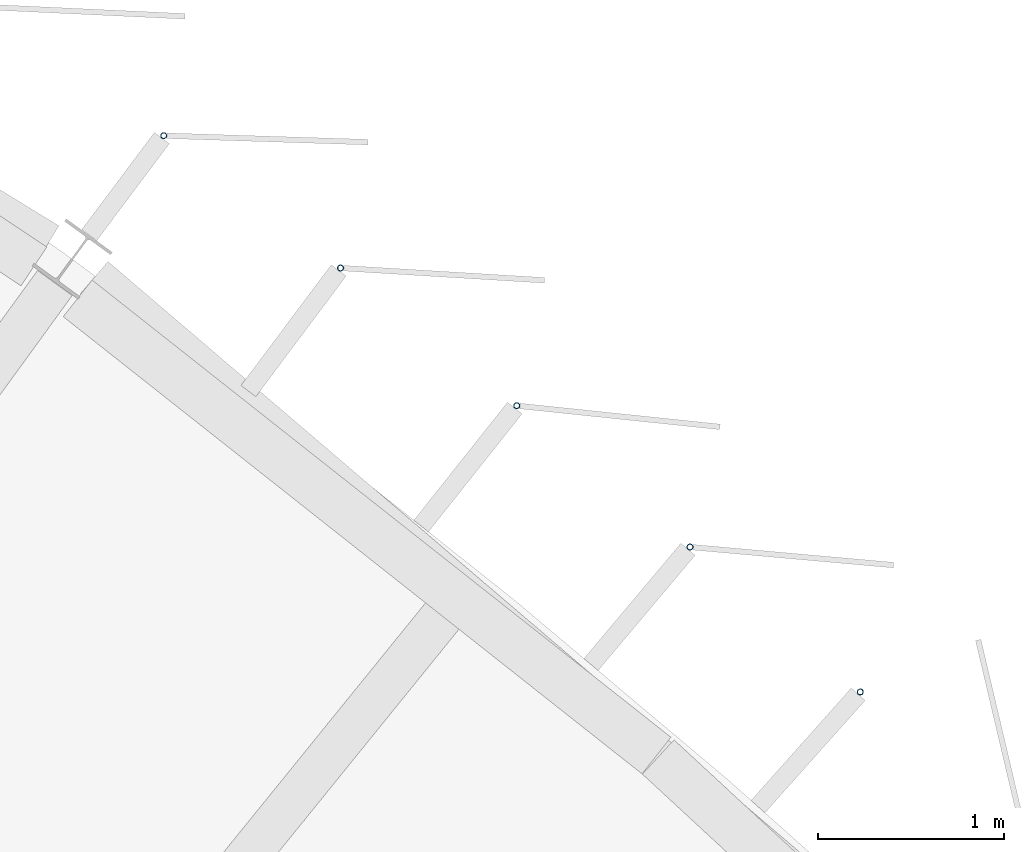
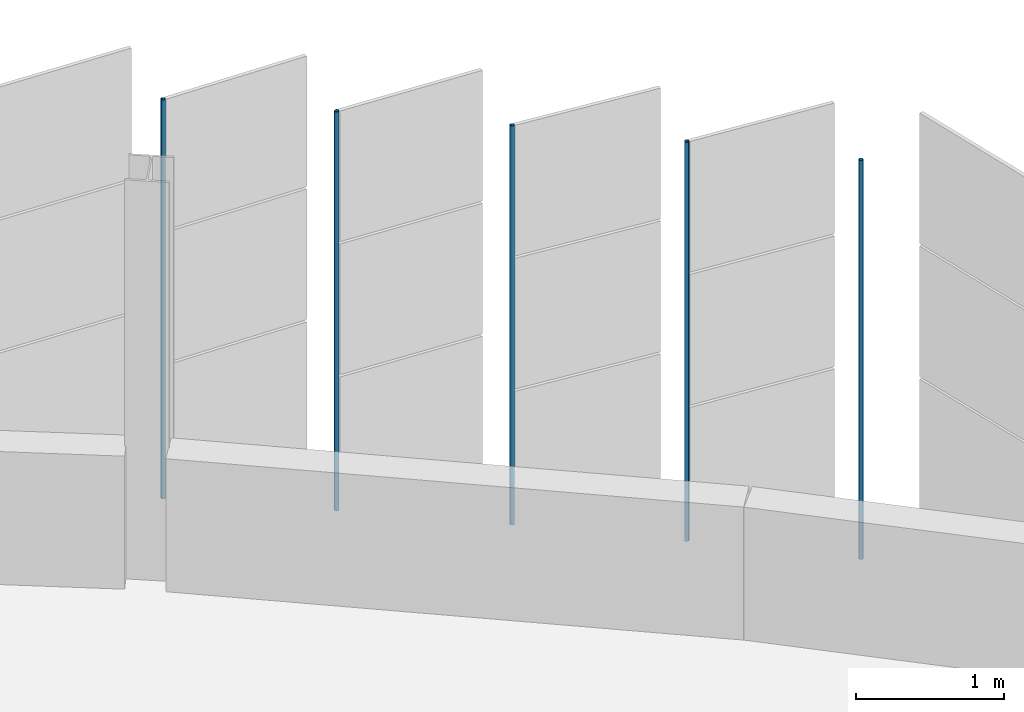
# One storey, part 175 of 214: 5 discrete accessories.
"""IFC4 building model written with IfcOpenShell, lengths in metres."""

from ifc_helpers import new_model, si_unit, direction, frame, origin, origin_2d, place, context, subcontext, project, spatial, hollow_circle, extrude, material, material_profile, profile_set, type_object, element, save


model = new_model("IFC4")

# Units and contexts
model_context = context("Model", 3, precision=1e-05, world=origin(), true_north=direction((0.0, 1.0)))
body_context = subcontext(model_context, "Body", "Model", "MODEL_VIEW")
ifc_project = project(units=[si_unit("LENGTHUNIT", "METRE"), si_unit("AREAUNIT", "SQUARE_METRE"), si_unit("VOLUMEUNIT", "CUBIC_METRE"), si_unit("PLANEANGLEUNIT", "RADIAN"), si_unit("MASSUNIT", "GRAM", prefix="KILO")], contexts=[model_context])

# Site, building, storey
site_placement = place(None, origin())
site = spatial("IfcSite", under=ifc_project, at=site_placement, CompositionType="ELEMENT")
building_placement = place(site_placement, origin())
building = spatial("IfcBuilding", under=site, at=building_placement, Name="Parallax Yard Mobility Hub", CompositionType="ELEMENT")
storey_placement = place(building_placement, frame((0.0, 0.0, 3.300048828125)))
storey = spatial("IfcBuildingStorey", under=building, at=storey_placement, Name="L01", CompositionType="ELEMENT", Elevation=3.300048828125)

# Discrete accessories
ifc_material = material(Name="Steel ASTM A500 Gr C, hot-dip galvanised", Category="steel")
ifc_material_profile = material_profile(ifc_material, hollow_circle(Radius=0.016845703125, WallThickness=0.003173828125, at=origin_2d()), Name="CHS 33.7x3.2")
ifc_profile_set = profile_set([ifc_material_profile], Name="Steel ASTM A500 Gr C, hot-dip galvanised")
discrete_accessory_type = type_object("IfcDiscreteAccessoryType", Name="Hinge post CHS 33.7x3.2", PredefinedType="BRACKET", material=ifc_profile_set)
for number, where, z_axis, x_axis, name in (
    (1, (207.5859375, 130.151123046875, 0.0), (0.0, 0.0, 1.0), (1.0, 0.0, 0.0), "Hinge post bay 46.4 level L01"),
    (2, (206.67236328125, 130.9287109375, 0.0), (0.0, 0.0, 1.0), (1.0, 0.0, 0.0), "Hinge post bay 46.5 level L01"),
    (3, (205.742919921875, 131.686767578125, 0.0), (0.0, 0.0, 1.0), (1.0, 0.0, 0.0), "Hinge post bay 46.6 level L01"),
    (4, (204.797607421875, 132.42529296875, 0.0), (0.0, 0.0, 1.0), (1.0, 0.0, 0.0), "Hinge post bay 46.7 level L01"),
    (5, (203.84912109375, 133.135498046875, 0.0), (0.0, 0.0, 1.0), (1.0, 0.0, 0.0), "Hinge post bay 47.1 level L01"),
):
    element("IfcDiscreteAccessory", number, at=place(storey_placement, frame(where, z_axis=z_axis, x_axis=x_axis)), inside=storey, type_object=discrete_accessory_type, Name=name, PredefinedType="BRACKET", context=body_context, shape_type="SweptSolid", body=[
        extrude(hollow_circle(Radius=0.016845703125, WallThickness=0.003173828125, at=origin_2d()), origin(), (0.0, 0.0, 1.0), 3.300048828125),
    ])

save(model, "model.ifc")
